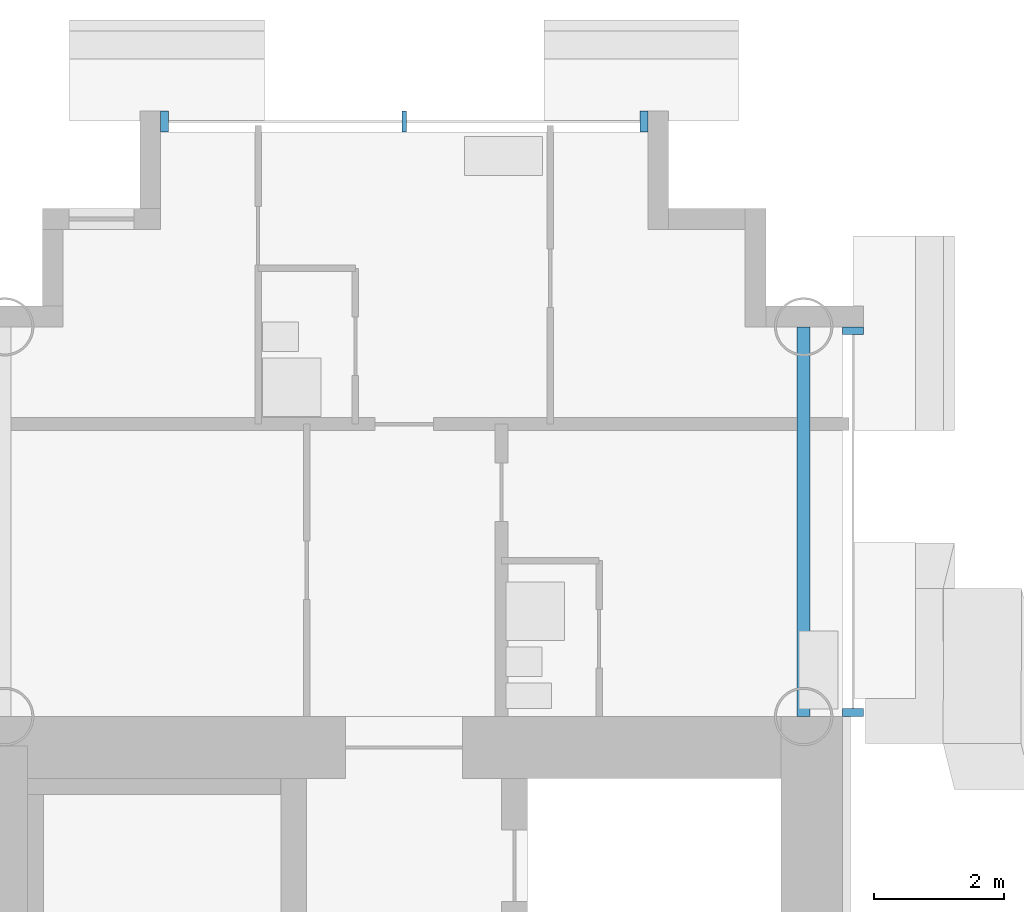
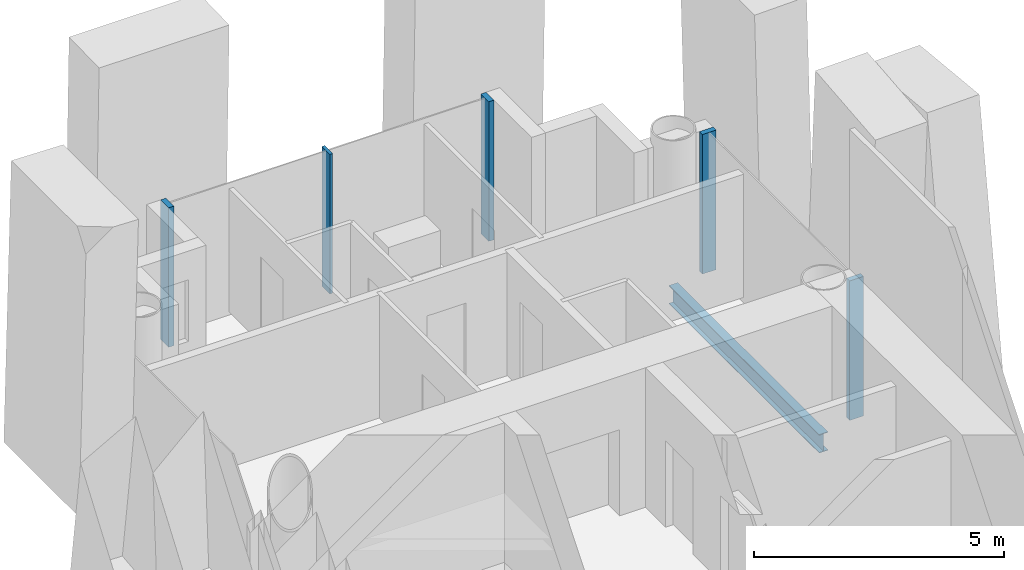
# One storey, part 6 of 21: 5 members, 1 beam, 2 elements without a shape of their own.
"""IFC4 building model written with IfcOpenShell, lengths in metres."""

from ifc_helpers import new_model, si_unit, direction, frame, origin, origin_2d, place, context, subcontext, project, spatial, rectangle, i_section, extrude, material, layer, layer_set, material_profile, profile_set, type_object, element, aggregate, save


model = new_model("IFC4")

# Units and contexts
model_context = context("Model", 3, precision=1e-05, world=origin(), true_north=direction((0.0, 1.0)))
body_context = subcontext(model_context, "Body", "Model", "MODEL_VIEW")
ifc_project = project(units=[si_unit("LENGTHUNIT", "METRE"), si_unit("AREAUNIT", "SQUARE_METRE"), si_unit("VOLUMEUNIT", "CUBIC_METRE"), si_unit("PLANEANGLEUNIT", "RADIAN"), si_unit("MASSUNIT", "GRAM", prefix="KILO")], contexts=[model_context])

# Site, building, storey
site_placement = place(None, origin())
site = spatial("IfcSite", under=ifc_project, at=site_placement, CompositionType="ELEMENT")
building_placement = place(site_placement, origin())
building = spatial("IfcBuilding", under=site, at=building_placement, Name="Ipe Terrace Towers", CompositionType="ELEMENT")
storey_placement = place(building_placement, frame((0.0, 0.0, 93.60009765625)))
storey = spatial("IfcBuildingStorey", under=building, at=storey_placement, Name="L25", CompositionType="ELEMENT", Elevation=93.60009765625)

# Beam
ifc_material_1 = material(Name="Steel S355", Category="steel")
ifc_material_profile_1 = material_profile(ifc_material_1, i_section(OverallWidth=0.199951171875, OverallDepth=0.449951171875, WebThickness=0.009033203125, FlangeThickness=0.013916015625, at=origin_2d()), Name="H-450x200x9x14")
ifc_profile_set_1 = profile_set([ifc_material_profile_1], Name="Steel S355")
beam_type = type_object("IfcBeamType", Name="H08 EDGE BEAM H-450x200x9x14", PredefinedType="BEAM", material=ifc_profile_set_1)
beam_placement = place(storey_placement, frame((42.14990234375, 15.75, -0.625), z_axis=(0.0, 1.0, 0.0), x_axis=(-1.0, 0.0, 0.0)))
element("IfcBeam", 1, at=beam_placement, inside=storey, type_object=beam_type, Name="Edge beam T2-EB-A01-A03", PredefinedType="BEAM", context=body_context, shape_type="SweptSolid", body=[
    extrude(i_section(OverallWidth=0.199951171875, OverallDepth=0.449951171875, WebThickness=0.009033203125, FlangeThickness=0.013916015625, at=origin_2d()), origin(), (0.0, 0.0, 1.0), 6.0),
])

# Curtain wall, members
ifc_material_2 = material(Name="Aluminium alloy 6063-T6", Category="aluminium")
ifc_layer = layer(ifc_material_2, 0.320068359375)
ifc_layer_set = layer_set([ifc_layer], Name="TOWER UNITISED CURTAIN WALL")
curtain_wall_type = type_object("IfcCurtainWallType", Name="TOWER UNITISED CURTAIN WALL", PredefinedType="NOTDEFINED", material=ifc_layer_set)
curtain_wall_1_placement = place(storey_placement, origin())
curtain_wall_1 = element("IfcCurtainWall", 2, at=curtain_wall_1_placement, inside=storey, type_object=curtain_wall_type, Name="T2-CW-L25-16b curtain wall", PredefinedType="NOTDEFINED")
ifc_material_3 = material(Name="Aluminium alloy 6063-T6", Category="aluminium")
ifc_material_profile_2 = material_profile(ifc_material_3, rectangle(XDim=0.320068359375, YDim=0.1201171875, at=origin_2d()), Name="TOWER UNITISED CORNER MULLION 320 x 120")
ifc_profile_set_2 = profile_set([ifc_material_profile_2], Name="Aluminium alloy 6063-T6")
member_type_1 = type_object("IfcMemberType", Name="TOWER UNITISED CORNER MULLION 320 x 120", PredefinedType="MULLION", material=ifc_profile_set_2)
member_1_placement = place(storey_placement, frame((42.909912109375, 15.81103515625, -0.300048828125), z_axis=(0.0, 0.0, 1.0), x_axis=(1.0, 0.0, 0.0)))
member_1 = element("IfcMember", 3, at=member_1_placement, type_object=member_type_1, Name="T2-CW-L25-16b mullion 1", PredefinedType="MULLION", context=body_context, shape_type="SweptSolid", body=[
    extrude(rectangle(XDim=0.320068359375, YDim=0.1201171875, at=origin_2d()), origin(), (0.0, 0.0, 1.0), 3.39990234375),
])
member_2_placement = place(storey_placement, frame((42.909912109375, 21.68994140625, -0.300048828125), z_axis=(0.0, 0.0, 1.0), x_axis=(1.0, 0.0, 0.0)))
member_2 = element("IfcMember", 4, at=member_2_placement, type_object=member_type_1, Name="T2-CW-L25-16b mullion 2", PredefinedType="MULLION", context=body_context, shape_type="SweptSolid", body=[
    extrude(rectangle(XDim=0.320068359375, YDim=0.1201171875, at=origin_2d()), origin(), (0.0, 0.0, 1.0), 3.39990234375),
])
aggregate(curtain_wall_1, [member_1, member_2])

curtain_wall_2_placement = place(storey_placement, origin())
curtain_wall_2 = element("IfcCurtainWall", 5, at=curtain_wall_2_placement, inside=storey, type_object=curtain_wall_type, Name="T2-CW-L25-21a curtain wall", PredefinedType="NOTDEFINED")
member_3_placement = place(storey_placement, frame((39.68994140625, 24.909912109375, -0.300048828125), z_axis=(0.0, 0.0, 1.0), x_axis=(0.0, 1.0, 0.0)))
member_3 = element("IfcMember", 6, at=member_3_placement, type_object=member_type_1, Name="T2-CW-L25-21a mullion 1", PredefinedType="MULLION", context=body_context, shape_type="SweptSolid", body=[
    extrude(rectangle(XDim=0.320068359375, YDim=0.1201171875, at=origin_2d()), origin(), (0.0, 0.0, 1.0), 3.39990234375),
])
member_4_placement = place(storey_placement, frame((32.31005859375, 24.909912109375, -0.300048828125), z_axis=(0.0, 0.0, 1.0), x_axis=(0.0, 1.0, 0.0)))
member_4 = element("IfcMember", 7, at=member_4_placement, type_object=member_type_1, Name="T2-CW-L25-21a mullion 3", PredefinedType="MULLION", context=body_context, shape_type="SweptSolid", body=[
    extrude(rectangle(XDim=0.320068359375, YDim=0.1201171875, at=origin_2d()), origin(), (0.0, 0.0, 1.0), 3.39990234375),
])
ifc_material_4 = material(Name="Aluminium alloy 6063-T6", Category="aluminium")
ifc_material_profile_3 = material_profile(ifc_material_4, rectangle(XDim=0.320068359375, YDim=0.06494140625, at=origin_2d()), Name="TOWER UNITISED MULLION 320 x 65")
ifc_profile_set_3 = profile_set([ifc_material_profile_3], Name="Aluminium alloy 6063-T6")
member_type_2 = type_object("IfcMemberType", Name="TOWER UNITISED MULLION 320 x 65", PredefinedType="MULLION", material=ifc_profile_set_3)
member_5_placement = place(storey_placement, frame((36.0, 24.909912109375, -0.300048828125), z_axis=(0.0, 0.0, 1.0), x_axis=(0.0, 1.0, 0.0)))
member_5 = element("IfcMember", 8, at=member_5_placement, type_object=member_type_2, Name="T2-CW-L25-21a mullion 2", PredefinedType="MULLION", context=body_context, shape_type="SweptSolid", body=[
    extrude(rectangle(XDim=0.320068359375, YDim=0.06494140625, at=origin_2d()), origin(), (0.0, 0.0, 1.0), 3.39990234375),
])
aggregate(curtain_wall_2, [member_3, member_5, member_4])

save(model, "model.ifc")
